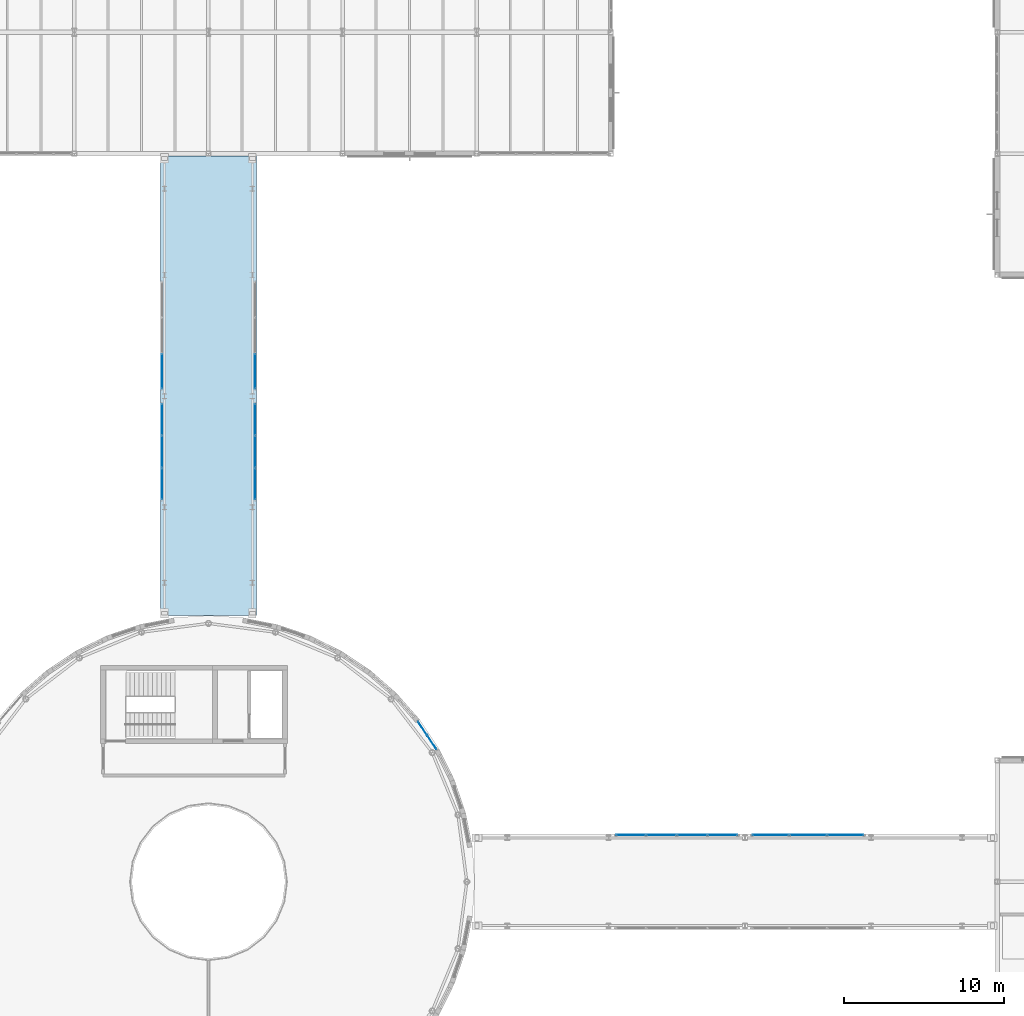
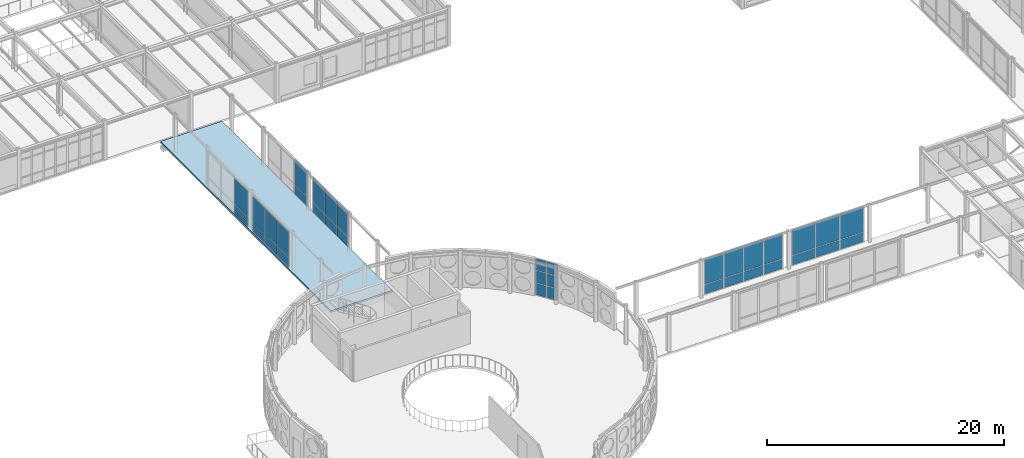
# One storey, part 124 of 165: 36 plates, 1 slab, 7 elements without a shape of their own.
"""IFC4 building model written with IfcOpenShell, lengths in metres."""

from ifc_helpers import new_model, si_unit, direction, frame, origin, origin_2d, place, context, subcontext, project, spatial, polyline, rectangle, outline, extrude, material, layer, layer_set, type_object, element, aggregate, save


model = new_model("IFC4")

# Units and contexts
model_context = context("Model", 3, precision=1e-05, world=origin(), true_north=direction((0.0, 1.0)))
body_context = subcontext(model_context, "Body", "Model", "MODEL_VIEW")
ifc_project = project(units=[si_unit("LENGTHUNIT", "METRE"), si_unit("AREAUNIT", "SQUARE_METRE"), si_unit("VOLUMEUNIT", "CUBIC_METRE"), si_unit("PLANEANGLEUNIT", "RADIAN"), si_unit("MASSUNIT", "GRAM", prefix="KILO")], contexts=[model_context])

# Site, building, storey
site_placement = place(None, origin())
site = spatial("IfcSite", under=ifc_project, at=site_placement, CompositionType="ELEMENT")
building_placement = place(site_placement, origin())
building = spatial("IfcBuilding", under=site, at=building_placement, Name="Montecoro Central Library", CompositionType="ELEMENT")
storey_placement = place(building_placement, frame((0.0, 0.0, 5.10009765625)))
storey = spatial("IfcBuildingStorey", under=building, at=storey_placement, Name="L01", CompositionType="ELEMENT", Elevation=5.10009765625)

# Curtain wall, plates
ifc_material_1 = material(Name="Bronze-anodised aluminium and low-E glazing", Category="aluminium")
ifc_layer_1 = layer(ifc_material_1, 0.159912109375)
ifc_layer_set_1 = layer_set([ifc_layer_1], Name="Bronze-anodised aluminium and low-E glazing")
curtain_wall_type_1 = type_object("IfcCurtainWallType", Name="CWT-003", PredefinedType="NOTDEFINED", material=ifc_layer_set_1)
curtain_wall_1_placement = place(storey_placement, origin())
curtain_wall_1 = element("IfcCurtainWall", 1, at=curtain_wall_1_placement, inside=storey, type_object=curtain_wall_type_1, Name="V1-L01-CW-05", PredefinedType="NOTDEFINED")
ifc_material_2 = material(Name="Laminated low-E double glazing", Category="glass")
ifc_layer_2 = layer(ifc_material_2, 0.02587890625)
ifc_layer_set_2 = layer_set([ifc_layer_2], Name="Laminated low-E double glazing")
plate_type = type_object("IfcPlateType", Name="CWP-GLZ-01", PredefinedType="CURTAIN_PANEL", material=ifc_layer_set_2)
plate_1_placement = place(storey_placement, frame((105.596435546875, 44.125244140625, 0.059814453125), z_axis=(0.0, 0.0, 1.0), x_axis=(-0.556097814687, 0.831116851291, 0.0)))
plate_1 = element("IfcPlate", 2, at=plate_1_placement, type_object=plate_type, Name="CW-003 panel 1.1", PredefinedType="CURTAIN_PANEL", context=body_context, shape_type="SweptSolid", body=[
    extrude(rectangle(XDim=0.982666015625, YDim=0.02587890625, at=origin_2d()), origin(), (0.0, 0.0, 1.0), 1.18994140625),
])
plate_2_placement = place(storey_placement, frame((105.596435546875, 44.125244140625, 1.31005859375), z_axis=(0.0, 0.0, 1.0), x_axis=(-0.556097814687, 0.831116851291, 0.0)))
plate_2 = element("IfcPlate", 3, at=plate_2_placement, type_object=plate_type, Name="CW-003 panel 1.2", PredefinedType="CURTAIN_PANEL", context=body_context, shape_type="SweptSolid", body=[
    extrude(rectangle(XDim=0.982666015625, YDim=0.02587890625, at=origin_2d()), origin(), (0.0, 0.0, 1.0), 1.239990234375),
])
plate_3_placement = place(storey_placement, frame((105.596435546875, 44.125244140625, 2.60986328125), z_axis=(0.0, 0.0, 1.0), x_axis=(-0.556097814687, 0.831116851291, 0.0)))
plate_3 = element("IfcPlate", 4, at=plate_3_placement, type_object=plate_type, Name="CW-003 panel 1.3", PredefinedType="CURTAIN_PANEL", context=body_context, shape_type="SweptSolid", body=[
    extrude(rectangle(XDim=0.982666015625, YDim=0.02587890625, at=origin_2d()), origin(), (0.0, 0.0, 1.0), 1.18505859375),
])
plate_4_placement = place(storey_placement, frame((105.0166015625, 44.99169921875, 0.059814453125), z_axis=(0.0, 0.0, 1.0), x_axis=(-0.556097814687, 0.831116851291, 0.0)))
plate_4 = element("IfcPlate", 5, at=plate_4_placement, type_object=plate_type, Name="CW-003 panel 2.1", PredefinedType="CURTAIN_PANEL", context=body_context, shape_type="SweptSolid", body=[
    extrude(rectangle(XDim=0.982666015625, YDim=0.02587890625, at=origin_2d()), origin(), (0.0, 0.0, 1.0), 1.18994140625),
])
plate_5_placement = place(storey_placement, frame((105.0166015625, 44.99169921875, 1.31005859375), z_axis=(0.0, 0.0, 1.0), x_axis=(-0.556097814687, 0.831116851291, 0.0)))
plate_5 = element("IfcPlate", 6, at=plate_5_placement, type_object=plate_type, Name="CW-003 panel 2.2", PredefinedType="CURTAIN_PANEL", context=body_context, shape_type="SweptSolid", body=[
    extrude(rectangle(XDim=0.982666015625, YDim=0.02587890625, at=origin_2d()), origin(), (0.0, 0.0, 1.0), 1.239990234375),
])
plate_6_placement = place(storey_placement, frame((105.0166015625, 44.99169921875, 2.60986328125), z_axis=(0.0, 0.0, 1.0), x_axis=(-0.556097814687, 0.831116851291, 0.0)))
plate_6 = element("IfcPlate", 7, at=plate_6_placement, type_object=plate_type, Name="CW-003 panel 2.3", PredefinedType="CURTAIN_PANEL", context=body_context, shape_type="SweptSolid", body=[
    extrude(rectangle(XDim=0.982666015625, YDim=0.02587890625, at=origin_2d()), origin(), (0.0, 0.0, 1.0), 1.18505859375),
])
aggregate(curtain_wall_1, [plate_1, plate_2, plate_3, plate_4, plate_5, plate_6])

ifc_layer_3 = layer(ifc_material_1, 0.159912109375)
ifc_layer_set_3 = layer_set([ifc_layer_3], Name="Bronze-anodised aluminium and low-E glazing")
curtain_wall_type_2 = type_object("IfcCurtainWallType", Name="CWT-075", PredefinedType="NOTDEFINED", material=ifc_layer_set_3)
curtain_wall_2_placement = place(storey_placement, origin())
curtain_wall_2 = element("IfcCurtainWall", 8, at=curtain_wall_2_placement, inside=storey, type_object=curtain_wall_type_2, Name="BR-N-L01-CW-W1", PredefinedType="NOTDEFINED")
plate_7_placement = place(storey_placement, frame((88.679931640625, 60.311767578125, 0.059814453125), z_axis=(0.0, 0.0, 1.0), x_axis=(0.0, 1.0, 0.0)))
plate_7 = element("IfcPlate", 9, at=plate_7_placement, type_object=plate_type, Name="CW-075 panel 1.1", PredefinedType="CURTAIN_PANEL", context=body_context, shape_type="SweptSolid", body=[
    extrude(rectangle(XDim=1.943359375, YDim=0.02587890625, at=origin_2d()), origin(), (0.0, 0.0, 1.0), 0.9599609375),
])
plate_8_placement = place(storey_placement, frame((88.679931640625, 60.311767578125, 1.080078125), z_axis=(0.0, 0.0, 1.0), x_axis=(0.0, 1.0, 0.0)))
plate_8 = element("IfcPlate", 10, at=plate_8_placement, type_object=plate_type, Name="CW-075 panel 1.2", PredefinedType="CURTAIN_PANEL", context=body_context, shape_type="SweptSolid", body=[
    extrude(rectangle(XDim=1.943359375, YDim=0.02587890625, at=origin_2d()), origin(), (0.0, 0.0, 1.0), 2.590087890625),
])
plate_9_placement = place(storey_placement, frame((88.679931640625, 62.330078125, 0.059814453125), z_axis=(0.0, 0.0, 1.0), x_axis=(0.0, 1.0, 0.0)))
plate_9 = element("IfcPlate", 11, at=plate_9_placement, type_object=plate_type, Name="CW-075 panel 2.1", PredefinedType="CURTAIN_PANEL", context=body_context, shape_type="SweptSolid", body=[
    extrude(rectangle(XDim=1.973388671875, YDim=0.02587890625, at=origin_2d()), origin(), (0.0, 0.0, 1.0), 0.9599609375),
])
plate_10_placement = place(storey_placement, frame((88.679931640625, 62.330078125, 1.080078125), z_axis=(0.0, 0.0, 1.0), x_axis=(0.0, 1.0, 0.0)))
plate_10 = element("IfcPlate", 12, at=plate_10_placement, type_object=plate_type, Name="CW-075 panel 2.2", PredefinedType="CURTAIN_PANEL", context=body_context, shape_type="SweptSolid", body=[
    extrude(rectangle(XDim=1.973388671875, YDim=0.02587890625, at=origin_2d()), origin(), (0.0, 0.0, 1.0), 2.590087890625),
])
plate_11_placement = place(storey_placement, frame((88.679931640625, 64.348388671875, 0.059814453125), z_axis=(0.0, 0.0, 1.0), x_axis=(0.0, 1.0, 0.0)))
plate_11 = element("IfcPlate", 13, at=plate_11_placement, type_object=plate_type, Name="CW-075 panel 3.1", PredefinedType="CURTAIN_PANEL", context=body_context, shape_type="SweptSolid", body=[
    extrude(rectangle(XDim=1.943359375, YDim=0.02587890625, at=origin_2d()), origin(), (0.0, 0.0, 1.0), 0.9599609375),
])
plate_12_placement = place(storey_placement, frame((88.679931640625, 64.348388671875, 1.080078125), z_axis=(0.0, 0.0, 1.0), x_axis=(0.0, 1.0, 0.0)))
plate_12 = element("IfcPlate", 14, at=plate_12_placement, type_object=plate_type, Name="CW-075 panel 3.2", PredefinedType="CURTAIN_PANEL", context=body_context, shape_type="SweptSolid", body=[
    extrude(rectangle(XDim=1.943359375, YDim=0.02587890625, at=origin_2d()), origin(), (0.0, 0.0, 1.0), 2.590087890625),
])
aggregate(curtain_wall_2, [plate_7, plate_8, plate_9, plate_10, plate_11, plate_12])

ifc_layer_4 = layer(ifc_material_1, 0.159912109375)
ifc_layer_set_4 = layer_set([ifc_layer_4], Name="Bronze-anodised aluminium and low-E glazing")
curtain_wall_type_3 = type_object("IfcCurtainWallType", Name="CWT-076", PredefinedType="NOTDEFINED", material=ifc_layer_set_4)
curtain_wall_3_placement = place(storey_placement, origin())
curtain_wall_3 = element("IfcCurtainWall", 15, at=curtain_wall_3_placement, inside=storey, type_object=curtain_wall_type_3, Name="BR-N-L01-CW-W2", PredefinedType="NOTDEFINED")
plate_13_placement = place(storey_placement, frame((88.679931640625, 67.361572265625, 0.059814453125), z_axis=(0.0, 0.0, 1.0), x_axis=(0.0, 1.0, 0.0)))
plate_13 = element("IfcPlate", 16, at=plate_13_placement, type_object=plate_type, Name="CW-076 panel 1.1", PredefinedType="CURTAIN_PANEL", context=body_context, shape_type="SweptSolid", body=[
    extrude(rectangle(XDim=2.163330078125, YDim=0.02587890625, at=origin_2d()), origin(), (0.0, 0.0, 1.0), 0.9599609375),
])
plate_14_placement = place(storey_placement, frame((88.679931640625, 67.361572265625, 1.080078125), z_axis=(0.0, 0.0, 1.0), x_axis=(0.0, 1.0, 0.0)))
plate_14 = element("IfcPlate", 17, at=plate_14_placement, type_object=plate_type, Name="CW-076 panel 1.2", PredefinedType="CURTAIN_PANEL", context=body_context, shape_type="SweptSolid", body=[
    extrude(rectangle(XDim=2.163330078125, YDim=0.02587890625, at=origin_2d()), origin(), (0.0, 0.0, 1.0), 2.590087890625),
])
aggregate(curtain_wall_3, [plate_13, plate_14])

curtain_wall_4_placement = place(storey_placement, origin())
curtain_wall_4 = element("IfcCurtainWall", 18, at=curtain_wall_4_placement, inside=storey, type_object=curtain_wall_type_2, Name="BR-N-L01-CW-E1", PredefinedType="NOTDEFINED")
plate_15_placement = place(storey_placement, frame((94.52001953125, 60.311767578125, 0.059814453125), z_axis=(0.0, 0.0, 1.0), x_axis=(0.0, 1.0, 0.0)))
plate_15 = element("IfcPlate", 19, at=plate_15_placement, type_object=plate_type, Name="CW-075 panel 1.1", PredefinedType="CURTAIN_PANEL", context=body_context, shape_type="SweptSolid", body=[
    extrude(rectangle(XDim=1.943359375, YDim=0.02587890625, at=origin_2d()), origin(), (0.0, 0.0, 1.0), 0.9599609375),
])
plate_16_placement = place(storey_placement, frame((94.52001953125, 60.311767578125, 1.080078125), z_axis=(0.0, 0.0, 1.0), x_axis=(0.0, 1.0, 0.0)))
plate_16 = element("IfcPlate", 20, at=plate_16_placement, type_object=plate_type, Name="CW-075 panel 1.2", PredefinedType="CURTAIN_PANEL", context=body_context, shape_type="SweptSolid", body=[
    extrude(rectangle(XDim=1.943359375, YDim=0.02587890625, at=origin_2d()), origin(), (0.0, 0.0, 1.0), 2.590087890625),
])
plate_17_placement = place(storey_placement, frame((94.52001953125, 62.330078125, 0.059814453125), z_axis=(0.0, 0.0, 1.0), x_axis=(0.0, 1.0, 0.0)))
plate_17 = element("IfcPlate", 21, at=plate_17_placement, type_object=plate_type, Name="CW-075 panel 2.1", PredefinedType="CURTAIN_PANEL", context=body_context, shape_type="SweptSolid", body=[
    extrude(rectangle(XDim=1.973388671875, YDim=0.02587890625, at=origin_2d()), origin(), (0.0, 0.0, 1.0), 0.9599609375),
])
plate_18_placement = place(storey_placement, frame((94.52001953125, 62.330078125, 1.080078125), z_axis=(0.0, 0.0, 1.0), x_axis=(0.0, 1.0, 0.0)))
plate_18 = element("IfcPlate", 22, at=plate_18_placement, type_object=plate_type, Name="CW-075 panel 2.2", PredefinedType="CURTAIN_PANEL", context=body_context, shape_type="SweptSolid", body=[
    extrude(rectangle(XDim=1.973388671875, YDim=0.02587890625, at=origin_2d()), origin(), (0.0, 0.0, 1.0), 2.590087890625),
])
plate_19_placement = place(storey_placement, frame((94.52001953125, 64.348388671875, 0.059814453125), z_axis=(0.0, 0.0, 1.0), x_axis=(0.0, 1.0, 0.0)))
plate_19 = element("IfcPlate", 23, at=plate_19_placement, type_object=plate_type, Name="CW-075 panel 3.1", PredefinedType="CURTAIN_PANEL", context=body_context, shape_type="SweptSolid", body=[
    extrude(rectangle(XDim=1.943359375, YDim=0.02587890625, at=origin_2d()), origin(), (0.0, 0.0, 1.0), 0.9599609375),
])
plate_20_placement = place(storey_placement, frame((94.52001953125, 64.348388671875, 1.080078125), z_axis=(0.0, 0.0, 1.0), x_axis=(0.0, 1.0, 0.0)))
plate_20 = element("IfcPlate", 24, at=plate_20_placement, type_object=plate_type, Name="CW-075 panel 3.2", PredefinedType="CURTAIN_PANEL", context=body_context, shape_type="SweptSolid", body=[
    extrude(rectangle(XDim=1.943359375, YDim=0.02587890625, at=origin_2d()), origin(), (0.0, 0.0, 1.0), 2.590087890625),
])
aggregate(curtain_wall_4, [plate_15, plate_16, plate_17, plate_18, plate_19, plate_20])

curtain_wall_5_placement = place(storey_placement, origin())
curtain_wall_5 = element("IfcCurtainWall", 25, at=curtain_wall_5_placement, inside=storey, type_object=curtain_wall_type_3, Name="BR-N-L01-CW-E2", PredefinedType="NOTDEFINED")
plate_21_placement = place(storey_placement, frame((94.52001953125, 67.361572265625, 0.059814453125), z_axis=(0.0, 0.0, 1.0), x_axis=(0.0, 1.0, 0.0)))
plate_21 = element("IfcPlate", 26, at=plate_21_placement, type_object=plate_type, Name="CW-076 panel 1.1", PredefinedType="CURTAIN_PANEL", context=body_context, shape_type="SweptSolid", body=[
    extrude(rectangle(XDim=2.163330078125, YDim=0.02587890625, at=origin_2d()), origin(), (0.0, 0.0, 1.0), 0.9599609375),
])
plate_22_placement = place(storey_placement, frame((94.52001953125, 67.361572265625, 1.080078125), z_axis=(0.0, 0.0, 1.0), x_axis=(0.0, 1.0, 0.0)))
plate_22 = element("IfcPlate", 27, at=plate_22_placement, type_object=plate_type, Name="CW-076 panel 1.2", PredefinedType="CURTAIN_PANEL", context=body_context, shape_type="SweptSolid", body=[
    extrude(rectangle(XDim=2.163330078125, YDim=0.02587890625, at=origin_2d()), origin(), (0.0, 0.0, 1.0), 2.590087890625),
])
aggregate(curtain_wall_5, [plate_21, plate_22])

ifc_layer_5 = layer(ifc_material_1, 0.159912109375)
ifc_layer_set_5 = layer_set([ifc_layer_5], Name="Bronze-anodised aluminium and low-E glazing")
curtain_wall_type_4 = type_object("IfcCurtainWallType", Name="CWT-087", PredefinedType="NOTDEFINED", material=ifc_layer_set_5)
curtain_wall_6_placement = place(storey_placement, origin())
curtain_wall_6 = element("IfcCurtainWall", 28, at=curtain_wall_6_placement, inside=storey, type_object=curtain_wall_type_4, Name="BR-SE-L01-CW-N1", PredefinedType="NOTDEFINED")
plate_23_placement = place(storey_placement, frame((118.0576171875, 38.320068359375, 0.059814453125), z_axis=(0.0, 0.0, 1.0), x_axis=(1.0, 0.0, 0.0)))
plate_23 = element("IfcPlate", 29, at=plate_23_placement, type_object=plate_type, Name="CW-087 panel 1.1", PredefinedType="CURTAIN_PANEL", context=body_context, shape_type="SweptSolid", body=[
    extrude(rectangle(XDim=1.8349609375, YDim=0.02587890625, at=origin_2d()), origin(), (0.0, 0.0, 1.0), 0.9599609375),
])
plate_24_placement = place(storey_placement, frame((118.0576171875, 38.320068359375, 1.080078125), z_axis=(0.0, 0.0, 1.0), x_axis=(1.0, 0.0, 0.0)))
plate_24 = element("IfcPlate", 30, at=plate_24_placement, type_object=plate_type, Name="CW-087 panel 1.2", PredefinedType="CURTAIN_PANEL", context=body_context, shape_type="SweptSolid", body=[
    extrude(rectangle(XDim=1.8349609375, YDim=0.02587890625, at=origin_2d()), origin(), (0.0, 0.0, 1.0), 2.590087890625),
])
plate_25_placement = place(storey_placement, frame((119.967529296875, 38.320068359375, 0.059814453125), z_axis=(0.0, 0.0, 1.0), x_axis=(1.0, 0.0, 0.0)))
plate_25 = element("IfcPlate", 31, at=plate_25_placement, type_object=plate_type, Name="CW-087 panel 2.1", PredefinedType="CURTAIN_PANEL", context=body_context, shape_type="SweptSolid", body=[
    extrude(rectangle(XDim=1.864990234375, YDim=0.02587890625, at=origin_2d()), origin(), (0.0, 0.0, 1.0), 0.9599609375),
])
plate_26_placement = place(storey_placement, frame((119.967529296875, 38.320068359375, 1.080078125), z_axis=(0.0, 0.0, 1.0), x_axis=(1.0, 0.0, 0.0)))
plate_26 = element("IfcPlate", 32, at=plate_26_placement, type_object=plate_type, Name="CW-087 panel 2.2", PredefinedType="CURTAIN_PANEL", context=body_context, shape_type="SweptSolid", body=[
    extrude(rectangle(XDim=1.864990234375, YDim=0.02587890625, at=origin_2d()), origin(), (0.0, 0.0, 1.0), 2.590087890625),
])
plate_27_placement = place(storey_placement, frame((121.892578125, 38.320068359375, 0.059814453125), z_axis=(0.0, 0.0, 1.0), x_axis=(1.0, 0.0, 0.0)))
plate_27 = element("IfcPlate", 33, at=plate_27_placement, type_object=plate_type, Name="CW-087 panel 3.1", PredefinedType="CURTAIN_PANEL", context=body_context, shape_type="SweptSolid", body=[
    extrude(rectangle(XDim=1.864990234375, YDim=0.02587890625, at=origin_2d()), origin(), (0.0, 0.0, 1.0), 0.9599609375),
])
plate_28_placement = place(storey_placement, frame((121.892578125, 38.320068359375, 1.080078125), z_axis=(0.0, 0.0, 1.0), x_axis=(1.0, 0.0, 0.0)))
plate_28 = element("IfcPlate", 34, at=plate_28_placement, type_object=plate_type, Name="CW-087 panel 3.2", PredefinedType="CURTAIN_PANEL", context=body_context, shape_type="SweptSolid", body=[
    extrude(rectangle(XDim=1.864990234375, YDim=0.02587890625, at=origin_2d()), origin(), (0.0, 0.0, 1.0), 2.590087890625),
])
plate_29_placement = place(storey_placement, frame((123.802490234375, 38.320068359375, 0.059814453125), z_axis=(0.0, 0.0, 1.0), x_axis=(1.0, 0.0, 0.0)))
plate_29 = element("IfcPlate", 35, at=plate_29_placement, type_object=plate_type, Name="CW-087 panel 4.1", PredefinedType="CURTAIN_PANEL", context=body_context, shape_type="SweptSolid", body=[
    extrude(rectangle(XDim=1.8349609375, YDim=0.02587890625, at=origin_2d()), origin(), (0.0, 0.0, 1.0), 0.9599609375),
])
plate_30_placement = place(storey_placement, frame((123.802490234375, 38.320068359375, 1.080078125), z_axis=(0.0, 0.0, 1.0), x_axis=(1.0, 0.0, 0.0)))
plate_30 = element("IfcPlate", 36, at=plate_30_placement, type_object=plate_type, Name="CW-087 panel 4.2", PredefinedType="CURTAIN_PANEL", context=body_context, shape_type="SweptSolid", body=[
    extrude(rectangle(XDim=1.8349609375, YDim=0.02587890625, at=origin_2d()), origin(), (0.0, 0.0, 1.0), 2.590087890625),
])
aggregate(curtain_wall_6, [plate_23, plate_24, plate_25, plate_26, plate_27, plate_28, plate_29, plate_30])

ifc_layer_6 = layer(ifc_material_1, 0.159912109375)
ifc_layer_set_6 = layer_set([ifc_layer_6], Name="Bronze-anodised aluminium and low-E glazing")
curtain_wall_type_5 = type_object("IfcCurtainWallType", Name="CWT-088", PredefinedType="NOTDEFINED", material=ifc_layer_set_6)
curtain_wall_7_placement = place(storey_placement, origin())
curtain_wall_7 = element("IfcCurtainWall", 37, at=curtain_wall_7_placement, inside=storey, type_object=curtain_wall_type_5, Name="BR-SE-L01-CW-N2", PredefinedType="NOTDEFINED")
plate_31_placement = place(storey_placement, frame((126.811767578125, 38.320068359375, 0.059814453125), z_axis=(0.0, 0.0, 1.0), x_axis=(1.0, 0.0, 0.0)))
plate_31 = element("IfcPlate", 38, at=plate_31_placement, type_object=plate_type, Name="CW-088 panel 1.1", PredefinedType="CURTAIN_PANEL", context=body_context, shape_type="SweptSolid", body=[
    extrude(rectangle(XDim=2.263427734375, YDim=0.02587890625, at=origin_2d()), origin(), (0.0, 0.0, 1.0), 0.9599609375),
])
plate_32_placement = place(storey_placement, frame((126.811767578125, 38.320068359375, 1.080078125), z_axis=(0.0, 0.0, 1.0), x_axis=(1.0, 0.0, 0.0)))
plate_32 = element("IfcPlate", 39, at=plate_32_placement, type_object=plate_type, Name="CW-088 panel 1.2", PredefinedType="CURTAIN_PANEL", context=body_context, shape_type="SweptSolid", body=[
    extrude(rectangle(XDim=2.263427734375, YDim=0.02587890625, at=origin_2d()), origin(), (0.0, 0.0, 1.0), 2.590087890625),
])
plate_33_placement = place(storey_placement, frame((129.14990234375, 38.320068359375, 0.059814453125), z_axis=(0.0, 0.0, 1.0), x_axis=(1.0, 0.0, 0.0)))
plate_33 = element("IfcPlate", 40, at=plate_33_placement, type_object=plate_type, Name="CW-088 panel 2.1", PredefinedType="CURTAIN_PANEL", context=body_context, shape_type="SweptSolid", body=[
    extrude(rectangle(XDim=2.293212890625, YDim=0.02587890625, at=origin_2d()), origin(), (0.0, 0.0, 1.0), 0.9599609375),
])
plate_34_placement = place(storey_placement, frame((129.14990234375, 38.320068359375, 1.080078125), z_axis=(0.0, 0.0, 1.0), x_axis=(1.0, 0.0, 0.0)))
plate_34 = element("IfcPlate", 41, at=plate_34_placement, type_object=plate_type, Name="CW-088 panel 2.2", PredefinedType="CURTAIN_PANEL", context=body_context, shape_type="SweptSolid", body=[
    extrude(rectangle(XDim=2.293212890625, YDim=0.02587890625, at=origin_2d()), origin(), (0.0, 0.0, 1.0), 2.590087890625),
])
plate_35_placement = place(storey_placement, frame((131.48828125, 38.320068359375, 0.059814453125), z_axis=(0.0, 0.0, 1.0), x_axis=(1.0, 0.0, 0.0)))
plate_35 = element("IfcPlate", 42, at=plate_35_placement, type_object=plate_type, Name="CW-088 panel 3.1", PredefinedType="CURTAIN_PANEL", context=body_context, shape_type="SweptSolid", body=[
    extrude(rectangle(XDim=2.263427734375, YDim=0.02587890625, at=origin_2d()), origin(), (0.0, 0.0, 1.0), 0.9599609375),
])
plate_36_placement = place(storey_placement, frame((131.48828125, 38.320068359375, 1.080078125), z_axis=(0.0, 0.0, 1.0), x_axis=(1.0, 0.0, 0.0)))
plate_36 = element("IfcPlate", 43, at=plate_36_placement, type_object=plate_type, Name="CW-088 panel 3.2", PredefinedType="CURTAIN_PANEL", context=body_context, shape_type="SweptSolid", body=[
    extrude(rectangle(XDim=2.263427734375, YDim=0.02587890625, at=origin_2d()), origin(), (0.0, 0.0, 1.0), 2.590087890625),
])
aggregate(curtain_wall_7, [plate_31, plate_32, plate_33, plate_34, plate_35, plate_36])

# Slab
ifc_material_3 = material(Name="Concrete C32/40", Category="concrete")
ifc_layer_7 = layer(ifc_material_3, 0.18505859375)
ifc_layer_set_7 = layer_set([ifc_layer_7], Name="Concrete C32/40")
slab_type = type_object("IfcSlabType", Name="SL-BRG-185", PredefinedType="FLOOR", material=ifc_layer_set_7)
slab_placement = place(storey_placement, frame((0.0, 0.0, -0.18505859375)))
element("IfcSlab", 44, at=slab_placement, inside=storey, type_object=slab_type, Name="BR-N Skybridge Link Bridge Slab", PredefinedType="FLOOR", context=body_context, shape_type="SweptSolid", body=[
    extrude(outline(polyline([(88.60009765625, 52.06005859375), (94.60009765625, 52.06005859375), (94.60009765625, 80.860107421875), (88.60009765625, 80.860107421875), (88.60009765625, 52.06005859375)])), origin(), (0.0, 0.0, 1.0), 0.18505859375),
])

save(model, "model.ifc")
